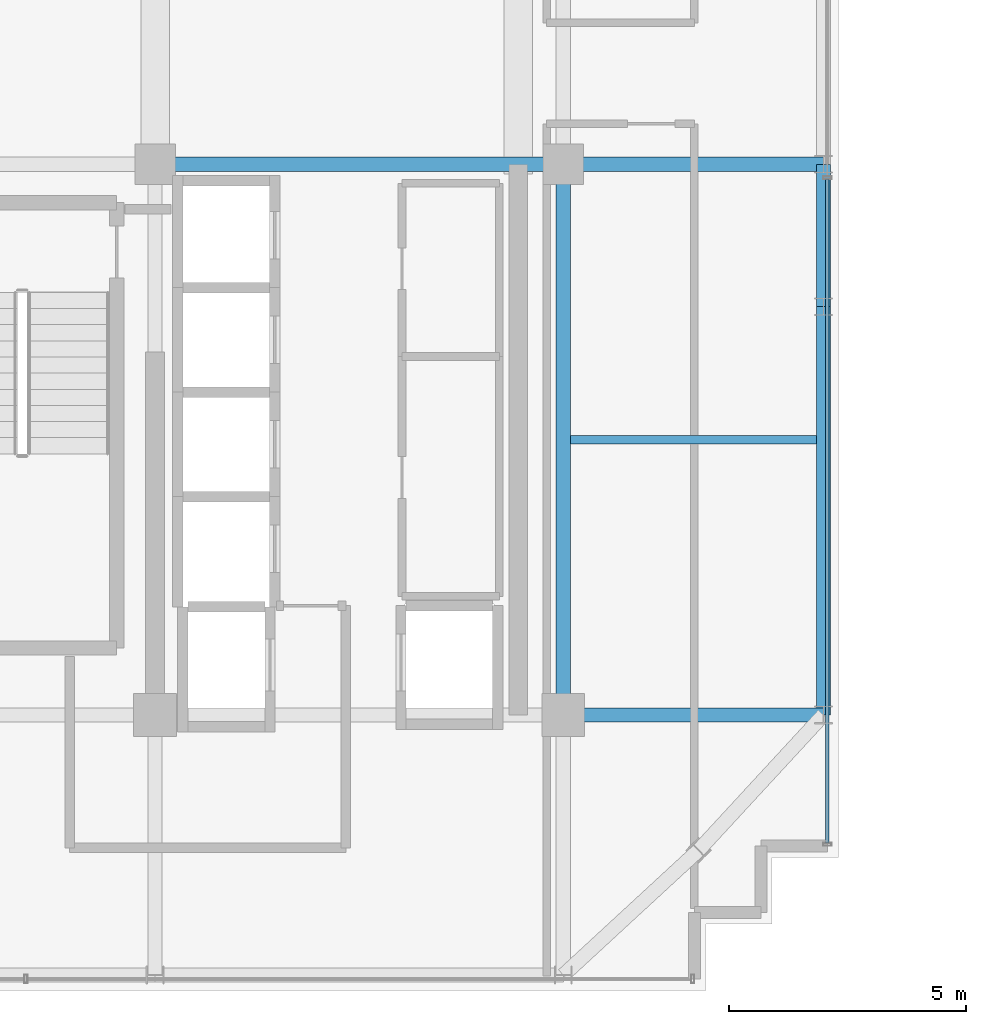
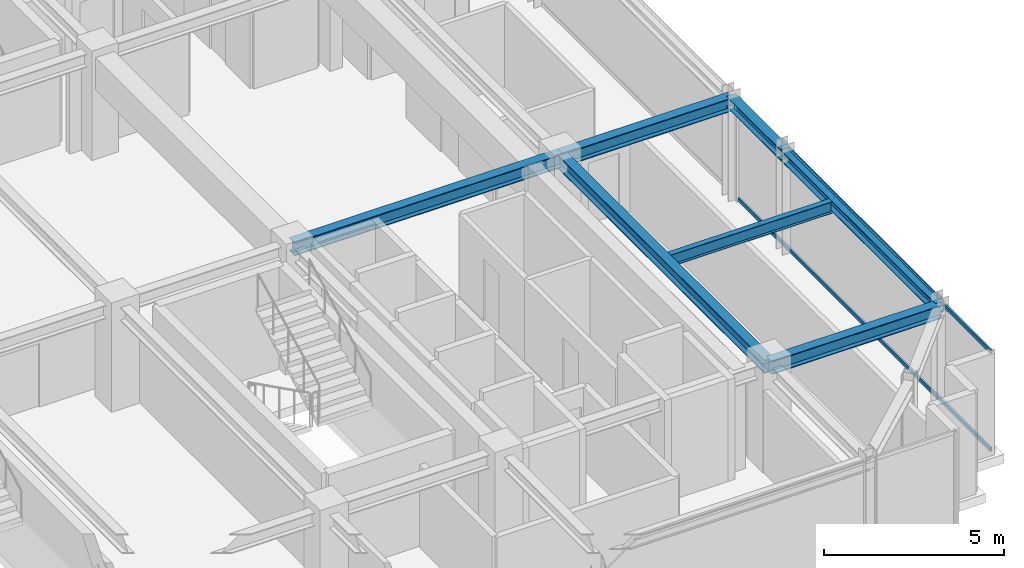
# One storey, part 12 of 33: 7 beams, 2 members, 1 element without a shape of its own.
"""IFC4 building model written with IfcOpenShell, lengths in metres."""

from ifc_helpers import new_model, si_unit, direction, frame, origin, origin_2d, place, context, subcontext, project, spatial, hollow_rectangle, i_section, extrude, source, transform, mapped, material, material_profile, profile_set, type_object, element, aggregate, save


model = new_model("IFC4")

# Units and contexts
model_context = context("Model", 3, precision=1e-05, world=origin(), true_north=direction((0.0, 1.0)))
body_context = subcontext(model_context, "Body", "Model", "MODEL_VIEW")
ifc_project = project(units=[si_unit("LENGTHUNIT", "METRE"), si_unit("AREAUNIT", "SQUARE_METRE"), si_unit("VOLUMEUNIT", "CUBIC_METRE"), si_unit("PLANEANGLEUNIT", "RADIAN"), si_unit("MASSUNIT", "GRAM", prefix="KILO")], contexts=[model_context])

# Site, building, storey
site_placement = place(None, origin())
site = spatial("IfcSite", under=ifc_project, at=site_placement, CompositionType="ELEMENT")
building_placement = place(site_placement, origin())
building = spatial("IfcBuilding", under=site, at=building_placement, Name="Nahalor Promenade Grand Hotel", CompositionType="ELEMENT")
storey_placement = place(building_placement, frame((0.0, 0.0, 270.050048828125)))
storey = spatial("IfcBuildingStorey", under=building, at=storey_placement, Name="L69", CompositionType="ELEMENT", Elevation=270.050048828125)

# Beams
ifc_material_1 = material(Name="Steel S355JR", Category="steel")
ifc_material_profile_1 = material_profile(ifc_material_1, i_section(OverallWidth=0.3, OverallDepth=0.45, WebThickness=0.014, FlangeThickness=0.026, at=origin_2d()), Name="HEB 450")
ifc_profile_set_1 = profile_set([ifc_material_profile_1], Name="Steel S355JR")
beam_type_1 = type_object("IfcBeamType", Name="Beam-Girder-HEB450", PredefinedType="BEAM", material=ifc_profile_set_1)
shared_shape_1 = source(origin(), body_context, "Body", "SweptSolid", [
    extrude(i_section(OverallWidth=0.3, OverallDepth=0.45, WebThickness=0.014, FlangeThickness=0.026, at=origin_2d()), origin(), (0.0, 0.0, 1.0), 8.60009765625),
])
beam_1_placement = place(storey_placement, frame((8.39990234375, -5.39990234375, 3.224853515625), z_axis=(1.0, 0.0, 0.0), x_axis=(0.0, 1.0, 0.0)))
element("IfcBeam", 1, at=beam_1_placement, inside=storey, type_object=beam_type_1, Name="BM-L69-GX-1-5", PredefinedType="BEAM", context=body_context, shape_type="MappedRepresentation", body=[
    mapped(shared_shape_1, transform((0.0, 0.0, 0.0), scale=1.0)),
])
shared_shape_2 = source(origin(), body_context, "Body", "SweptSolid", [
    extrude(i_section(OverallWidth=0.3, OverallDepth=0.45, WebThickness=0.014, FlangeThickness=0.026, at=origin_2d()), origin(), (0.0, 0.0, 1.0), 11.60009765625),
])
beam_2_placement = place(storey_placement, frame((17.0, -17.0, 3.224853515625), z_axis=(0.0, 1.0, 0.0), x_axis=(-1.0, 0.0, 0.0)))
element("IfcBeam", 2, at=beam_2_placement, inside=storey, type_object=beam_type_1, Name="BM-L69-GY-5-1", PredefinedType="BEAM", context=body_context, shape_type="MappedRepresentation", body=[
    mapped(shared_shape_2, transform((0.0, 0.0, 0.0), scale=1.0)),
])
shared_shape_3 = source(origin(), body_context, "Body", "SweptSolid", [
    extrude(i_section(OverallWidth=0.3, OverallDepth=0.45, WebThickness=0.014, FlangeThickness=0.026, at=origin_2d()), origin(), (0.0, 0.0, 1.0), 5.47998046875),
])
for number, where, z_axis, x_axis, name in (
    (3, (17.0, -17.0, 3.224853515625), (1.0, 0.0, 0.0), (0.0, 1.0, 0.0), "BM-L69-GX-0-6"),
    (4, (17.0, -5.39990234375, 3.224853515625), (1.0, 0.0, 0.0), (0.0, 1.0, 0.0), "BM-L69-GX-1-6"),
):
    element("IfcBeam", number, at=place(storey_placement, frame(where, z_axis=z_axis, x_axis=x_axis)), inside=storey, type_object=beam_type_1, Name=name, PredefinedType="BEAM", context=body_context, shape_type="MappedRepresentation", body=[
        mapped(shared_shape_3, transform((0.0, 0.0, 0.0), scale=1.0)),
    ])
ifc_material_profile_2 = material_profile(ifc_material_1, i_section(OverallWidth=0.18, OverallDepth=0.4, WebThickness=0.0086, FlangeThickness=0.0135, at=origin_2d()), Name="IPE 400")
ifc_profile_set_2 = profile_set([ifc_material_profile_2], Name="Steel S355JR")
beam_type_2 = type_object("IfcBeamType", Name="Beam-Joist-IPE400", PredefinedType="JOIST", material=ifc_profile_set_2)
shared_shape_4 = source(origin(), body_context, "Body", "SweptSolid", [
    extrude(i_section(OverallWidth=0.18, OverallDepth=0.4, WebThickness=0.0086, FlangeThickness=0.0135, at=origin_2d()), origin(), (0.0, 0.0, 1.0), 5.18017578125),
])
beam_3_placement = place(storey_placement, frame((17.14990234375, -11.199951171875, 3.25), z_axis=(1.0, 0.0, 0.0), x_axis=(0.0, 1.0, 0.0)))
element("IfcBeam", 5, at=beam_3_placement, inside=storey, type_object=beam_type_2, Name="BM-L69-JSE-0-2", PredefinedType="JOIST", context=body_context, shape_type="MappedRepresentation", body=[
    mapped(shared_shape_4, transform((0.0, 0.0, 0.0), scale=1.0)),
])
ifc_material_profile_3 = material_profile(ifc_material_1, i_section(OverallWidth=0.3, OverallDepth=0.36, WebThickness=0.0125, FlangeThickness=0.0225, at=origin_2d()), Name="HEB 360")
ifc_profile_set_3 = profile_set([ifc_material_profile_3], Name="Steel S355JR")
beam_type_3 = type_object("IfcBeamType", Name="Beam-Spandrel-HEB360", PredefinedType="SPANDREL", material=ifc_profile_set_3)
shared_shape_5 = source(origin(), body_context, "Body", "SweptSolid", [
    extrude(i_section(OverallWidth=0.3, OverallDepth=0.36, WebThickness=0.0125, FlangeThickness=0.0225, at=origin_2d()), origin(), (0.0, 0.0, 1.0), 8.60009765625),
])
beam_4_placement = place(storey_placement, frame((22.47998046875, -17.0, 3.27001953125), z_axis=(0.0, 1.0, 0.0), x_axis=(-1.0, 0.0, 0.0)))
element("IfcBeam", 6, at=beam_4_placement, inside=storey, type_object=beam_type_3, Name="BM-L69-SP-E-0", PredefinedType="SPANDREL", context=body_context, shape_type="MappedRepresentation", body=[
    mapped(shared_shape_5, transform((0.0, 0.0, 0.0), scale=1.0)),
])
shared_shape_6 = source(origin(), body_context, "Body", "SweptSolid", [
    extrude(i_section(OverallWidth=0.3, OverallDepth=0.36, WebThickness=0.0125, FlangeThickness=0.0225, at=origin_2d()), origin(), (0.0, 0.0, 1.0), 3.0),
])
beam_5_placement = place(storey_placement, frame((22.47998046875, -8.39990234375, 3.27001953125), z_axis=(0.0, 1.0, 0.0), x_axis=(-1.0, 0.0, 0.0)))
element("IfcBeam", 7, at=beam_5_placement, inside=storey, type_object=beam_type_3, Name="BM-L69-SP-E-1", PredefinedType="SPANDREL", context=body_context, shape_type="MappedRepresentation", body=[
    mapped(shared_shape_6, transform((0.0, 0.0, 0.0), scale=1.0)),
])

# Curtain wall, members
ifc_material_2 = material(Name="Anodised Bronze Aluminium EN AW-6063 T6", Category="aluminium")
curtain_wall_type = type_object("IfcCurtainWallType", Name="CW2 Typical Hotel Flush Bronze Unitised Curtain Wall", PredefinedType="USERDEFINED", material=ifc_material_2)
curtain_wall_placement = place(storey_placement, origin())
curtain_wall = element("IfcCurtainWall", 8, at=curtain_wall_placement, inside=storey, type_object=curtain_wall_type, Name="L69 Curtain Wall CW-L69-E-1", ObjectType="UNITISED_CURTAIN_WALL", PredefinedType="USERDEFINED")
ifc_material_profile_4 = material_profile(ifc_material_2, hollow_rectangle(XDim=0.065, YDim=0.13, WallThickness=0.004, at=origin_2d()), Name="CWT 65x130x4")
ifc_profile_set_4 = profile_set([ifc_material_profile_4], Name="Anodised Bronze Aluminium EN AW-6063 T6")
member_type = type_object("IfcMemberType", Name="CWT2 Typical Bronze Transom 65x130", PredefinedType="USERDEFINED", material=ifc_profile_set_4)
shared_shape_7 = source(origin(), body_context, "Body", "SweptSolid", [
    extrude(hollow_rectangle(XDim=0.065, YDim=0.13, WallThickness=0.004, at=origin_2d()), origin(), (0.0, 0.0, 1.0), 13.982666015625),
])
member_1_placement = place(storey_placement, frame((22.56005859375, -19.695068359375, 0.06494140625), z_axis=(0.0, 1.0, 0.0), x_axis=(-1.0, 0.0, 0.0)))
member_1 = element("IfcMember", 9, at=member_1_placement, type_object=member_type, Name="CW-L69-E-1 Transom 0-0", ObjectType="TRANSOM", PredefinedType="USERDEFINED", context=body_context, shape_type="MappedRepresentation", body=[
    mapped(shared_shape_7, transform((0.0, 0.0, 0.0), scale=1.0)),
])
member_2_placement = place(storey_placement, frame((22.56005859375, -19.695068359375, 3.385009765625), z_axis=(0.0, 1.0, 0.0), x_axis=(-1.0, 0.0, 0.0)))
member_2 = element("IfcMember", 10, at=member_2_placement, type_object=member_type, Name="CW-L69-E-1 Transom 0-1", ObjectType="TRANSOM", PredefinedType="USERDEFINED", context=body_context, shape_type="MappedRepresentation", body=[
    mapped(shared_shape_7, transform((0.0, 0.0, 0.0), scale=1.0)),
])
aggregate(curtain_wall, [member_1, member_2])

save(model, "model.ifc")
